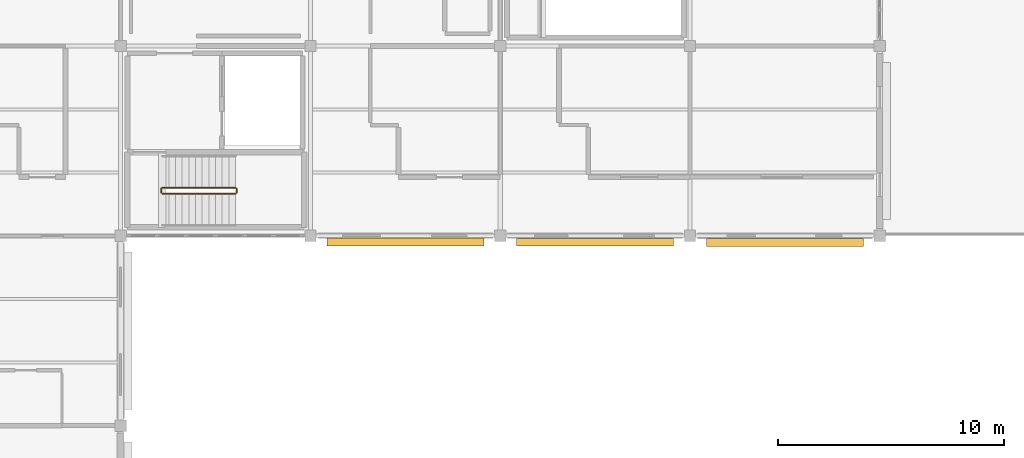
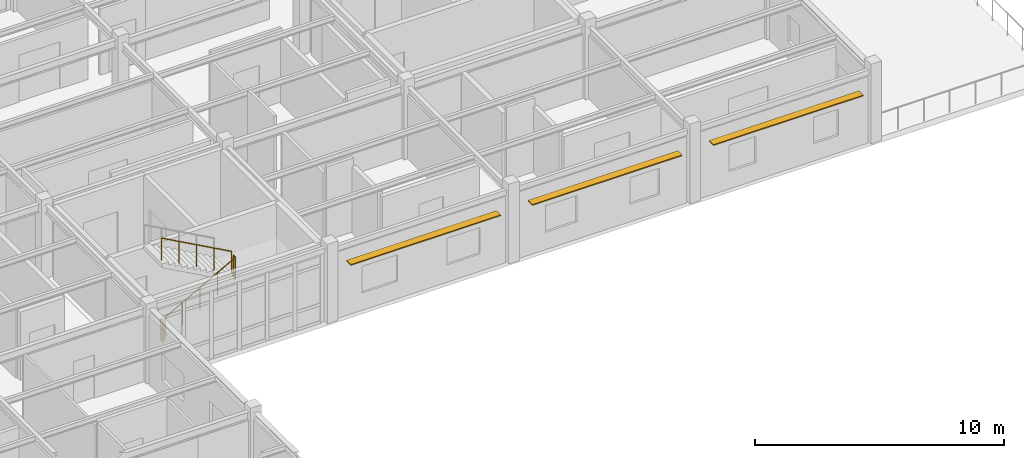
# One storey, part 52 of 53: 4 railings, 3 shading devices.
"""IFC4 building model written with IfcOpenShell, lengths in metres."""

from ifc_helpers import new_model, si_unit, direction, frame, origin, origin_2d, place, context, subcontext, project, spatial, rectangle, circle, extrude, material, material_profile, profile_set, type_object, element, save


model = new_model("IFC4")

# Units and contexts
model_context = context("Model", 3, precision=1e-05, world=origin(), true_north=direction((0.0, 1.0)))
body_context = subcontext(model_context, "Body", "Model", "MODEL_VIEW")
ifc_project = project(units=[si_unit("LENGTHUNIT", "METRE"), si_unit("AREAUNIT", "SQUARE_METRE"), si_unit("VOLUMEUNIT", "CUBIC_METRE"), si_unit("PLANEANGLEUNIT", "RADIAN"), si_unit("MASSUNIT", "GRAM", prefix="KILO")], contexts=[model_context])

# Site, building, storey
site_placement = place(None, origin())
site = spatial("IfcSite", under=ifc_project, at=site_placement, CompositionType="ELEMENT")
building_placement = place(site_placement, origin())
building = spatial("IfcBuilding", under=site, at=building_placement, Name="Bramfleet General Hospital", CompositionType="ELEMENT")
storey_placement = place(building_placement, frame((0.0, 0.0, 26.39990234375)))
storey = spatial("IfcBuildingStorey", under=building, at=storey_placement, Name="L06", CompositionType="ELEMENT", Elevation=26.39990234375)

# Railings
ifc_material_1 = material(Name="Powder-coated steel stair balustrade", Category="steel")
railing_type = type_object("IfcRailingType", Name="RAIL-ST-GUARD", PredefinedType="GUARDRAIL", material=ifc_material_1)
railing_1_placement = place(storey_placement, frame((119.43994140625, 94.27001953125, 0.16259765625)))
element("IfcRailing", 1, at=railing_1_placement, inside=storey, type_object=railing_type, Name="L06 ST-C6 stair guard 1", PredefinedType="GUARDRAIL", context=body_context, shape_type="SweptSolid", body=[
    extrude(circle(Radius=0.02392578125, at=origin_2d()), frame((0.0, 0.0, 1.076171875), z_axis=(0.875898504189, 0.0, 0.482495399314), x_axis=(0.0, 1.0, 0.0)), (0.0, 0.0, 1.0), 3.704833984375),
    extrude(circle(Radius=0.02099609375, at=origin_2d()), origin(), (0.0, 0.0, 1.0), 1.052001953125),
    extrude(circle(Radius=0.02099609375, at=origin_2d()), frame((0.811279296875, 0.0, 0.44677734375)), (0.0, 0.0, 1.0), 1.052001953125),
    extrude(circle(Radius=0.02099609375, at=origin_2d()), frame((1.62255859375, 0.0, 0.893798828125)), (0.0, 0.0, 1.0), 1.052001953125),
    extrude(circle(Radius=0.02099609375, at=origin_2d()), frame((2.433837890625, 0.0, 1.3408203125)), (0.0, 0.0, 1.0), 1.052001953125),
    extrude(circle(Radius=0.02099609375, at=origin_2d()), frame((3.2451171875, 0.0, 1.78759765625)), (0.0, 0.0, 1.0), 1.052001953125),
])
railing_2_placement = place(storey_placement, frame((122.735107421875, 94.320068359375, 1.9501953125)))
element("IfcRailing", 2, at=railing_2_placement, inside=storey, type_object=railing_type, Name="L06 ST-C6 stair guard 2", PredefinedType="GUARDRAIL", context=body_context, shape_type="SweptSolid", body=[
    extrude(circle(Radius=0.02392578125, at=origin_2d()), frame((0.0, 0.0, 1.076171875), z_axis=(0.0, 1.0, 0.0), x_axis=(-1.0, 0.0, 0.0)), (0.0, 0.0, 1.0), 0.159912109375),
    extrude(circle(Radius=0.02099609375, at=origin_2d()), origin(), (0.0, 0.0, 1.0), 1.052001953125),
    extrude(circle(Radius=0.02099609375, at=origin_2d()), frame((0.0, 0.159912109375, 0.0)), (0.0, 0.0, 1.0), 1.052001953125),
])
railing_3_placement = place(storey_placement, frame((122.68505859375, 94.530029296875, 2.112548828125)))
element("IfcRailing", 3, at=railing_3_placement, inside=storey, type_object=railing_type, Name="L06 ST-C6 stair guard 3", PredefinedType="GUARDRAIL", context=body_context, shape_type="SweptSolid", body=[
    extrude(circle(Radius=0.02392578125, at=origin_2d()), frame((0.0, 0.0, 1.076171875), z_axis=(-0.875898504189, 0.0, 0.482495399314), x_axis=(0.0, -1.0, 0.0)), (0.0, 0.0, 1.0), 3.704833984375),
    extrude(circle(Radius=0.02099609375, at=origin_2d()), origin(), (0.0, 0.0, 1.0), 1.052001953125),
    extrude(circle(Radius=0.02099609375, at=origin_2d()), frame((-0.811279296875, 0.0, 0.44677734375)), (0.0, 0.0, 1.0), 1.052001953125),
    extrude(circle(Radius=0.02099609375, at=origin_2d()), frame((-1.62255859375, 0.0, 0.893798828125)), (0.0, 0.0, 1.0), 1.052001953125),
    extrude(circle(Radius=0.02099609375, at=origin_2d()), frame((-2.433837890625, 0.0, 1.3408203125)), (0.0, 0.0, 1.0), 1.052001953125),
    extrude(circle(Radius=0.02099609375, at=origin_2d()), frame((-3.2451171875, 0.0, 1.78759765625)), (0.0, 0.0, 1.0), 1.052001953125),
])
railing_4_placement = place(storey_placement, frame((119.389892578125, 94.320068359375, 0.0)))
element("IfcRailing", 4, at=railing_4_placement, inside=storey, type_object=railing_type, Name="L06 ST-C6 stair guard 4", PredefinedType="GUARDRAIL", context=body_context, shape_type="SweptSolid", body=[
    extrude(circle(Radius=0.02392578125, at=origin_2d()), frame((0.0, 0.0, 1.076171875), z_axis=(0.0, 1.0, 0.0), x_axis=(-1.0, 0.0, 0.0)), (0.0, 0.0, 1.0), 0.159912109375),
    extrude(circle(Radius=0.02099609375, at=origin_2d()), origin(), (0.0, 0.0, 1.0), 1.052001953125),
    extrude(circle(Radius=0.02099609375, at=origin_2d()), frame((0.0, 0.159912109375, 0.0)), (0.0, 0.0, 1.0), 1.052001953125),
])

# Shading devices
ifc_material_2 = material(Name="Anodised aluminium EN AW-6063", Category="aluminium")
ifc_material_profile = material_profile(ifc_material_2, rectangle(XDim=0.050048828125, YDim=0.35009765625, at=origin_2d()), Name="ALU LOUVRE 350x50")
ifc_profile_set = profile_set([ifc_material_profile], Name="Anodised aluminium EN AW-6063")
shading_device_type = type_object("IfcShadingDeviceType", Name="SHD-LVR-350", PredefinedType="USERDEFINED", material=ifc_profile_set)
shading_device_placement = place(storey_placement, frame((150.47509765625, 92.107421875, 2.670166015625), z_axis=(-1.0, 0.0, 0.0), x_axis=(0.0, 0.0, 1.0)))
element("IfcShadingDevice", 5, at=shading_device_placement, inside=storey, type_object=shading_device_type, Name="L06 Solar Shading Louvre 86", ObjectType="Louvre", PredefinedType="USERDEFINED", context=body_context, shape_type="SweptSolid", body=[
    extrude(rectangle(XDim=0.050048828125, YDim=0.35009765625, at=origin_2d()), origin(), (0.0, 0.0, 1.0), 6.9501953125),
])
for number, where, z_axis, x_axis, name in (
    (6, (142.074951171875, 92.114990234375, 2.670166015625), (-1.0, 0.0, 0.0), (0.0, 0.0, 1.0), "L06 Solar Shading Louvre 87"),
    (7, (133.675048828125, 92.12255859375, 2.670166015625), (-1.0, 0.0, 0.0), (0.0, 0.0, 1.0), "L06 Solar Shading Louvre 88"),
):
    element("IfcShadingDevice", number, at=place(storey_placement, frame(where, z_axis=z_axis, x_axis=x_axis)), inside=storey, type_object=shading_device_type, Name=name, ObjectType="Louvre", PredefinedType="USERDEFINED", context=body_context, shape_type="SweptSolid", body=[
        extrude(rectangle(XDim=0.050048828125, YDim=0.35009765625, at=origin_2d()), origin(), (0.0, 0.0, 1.0), 6.949951171875),
    ])

save(model, "model.ifc")
